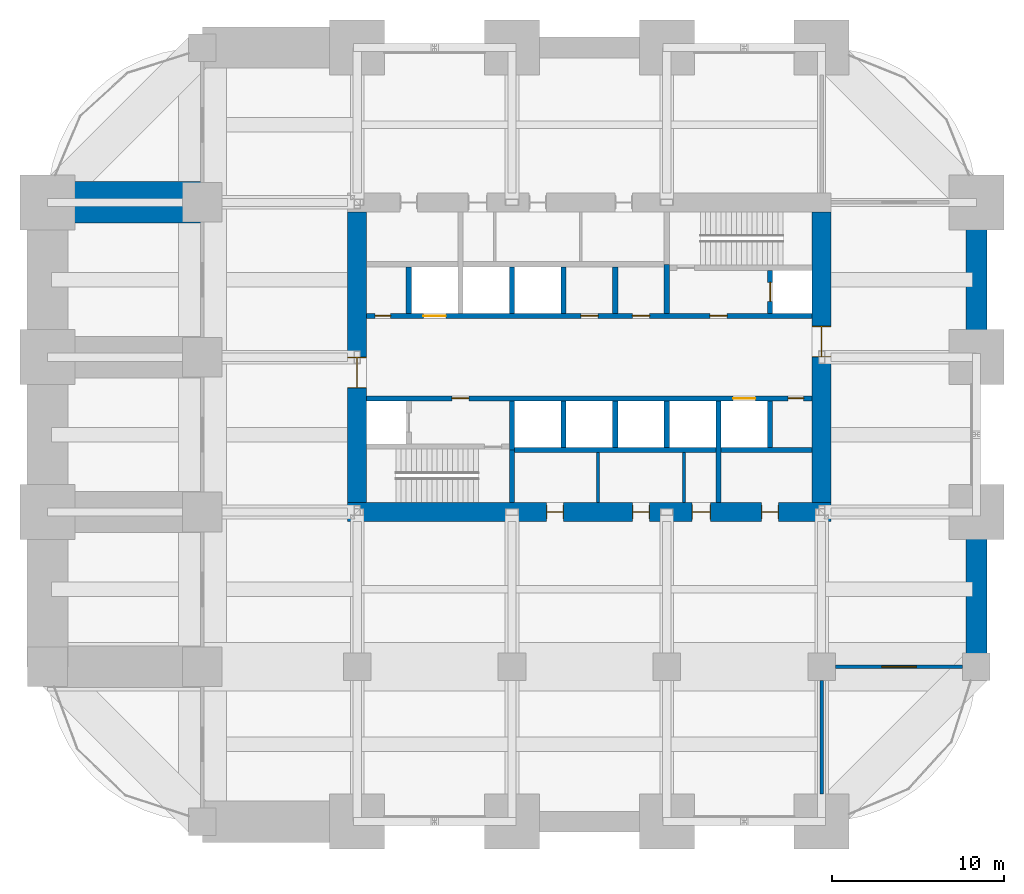
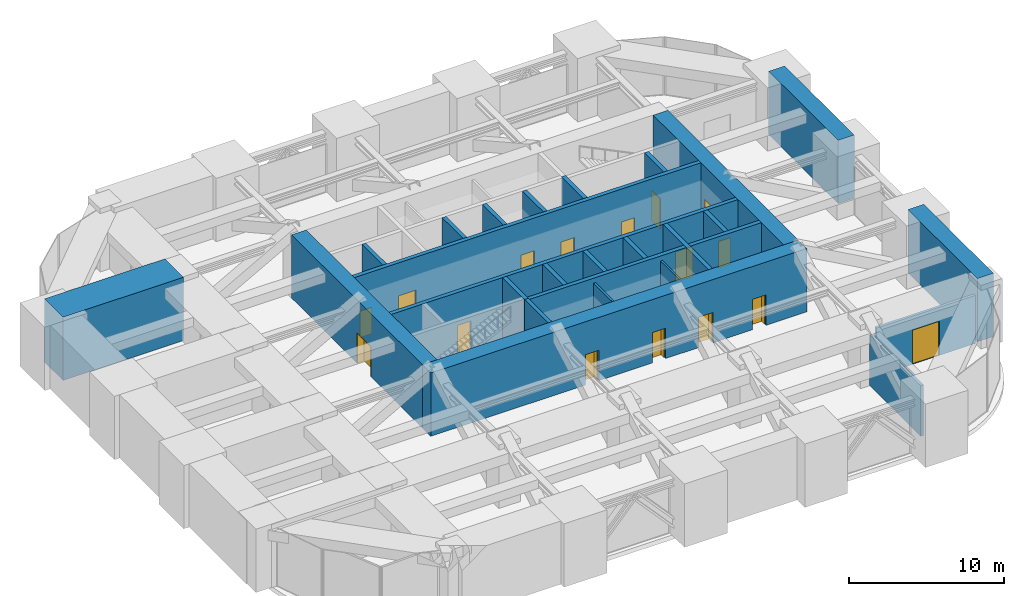
# One storey, part 30 of 32: 26 walls, 16 doors, 16 openings.
"""IFC4 building model written with IfcOpenShell, lengths in metres."""

from ifc_helpers import new_model, si_unit, direction, frame, frame_2d, origin, place, context, subcontext, project, spatial, rectangle, extrude, material, layer, layer_set, type_object, element, fill, save


model = new_model("IFC4")

# Units and contexts
model_context = context("Model", 3, precision=1e-05, world=origin(), true_north=direction((0.0, 1.0)))
body_context = subcontext(model_context, "Body", "Model", "MODEL_VIEW")
ifc_project = project(units=[si_unit("LENGTHUNIT", "METRE"), si_unit("AREAUNIT", "SQUARE_METRE"), si_unit("VOLUMEUNIT", "CUBIC_METRE"), si_unit("PLANEANGLEUNIT", "RADIAN"), si_unit("MASSUNIT", "GRAM", prefix="KILO")], contexts=[model_context])

# Site, building, storey
site_placement = place(None, origin())
site = spatial("IfcSite", under=ifc_project, at=site_placement, CompositionType="ELEMENT")
building_placement = place(site_placement, origin())
building = spatial("IfcBuilding", under=site, at=building_placement, Name="Zorevar Civic Tower", CompositionType="ELEMENT")
storey_placement = place(building_placement, frame((0.0, 0.0, 234.39990234375)))
storey = spatial("IfcBuildingStorey", under=building, at=storey_placement, Name="L57", CompositionType="ELEMENT", Elevation=234.39990234375)

# Walls
ifc_material_1 = material(Name="Concrete C50/60", Category="concrete")
ifc_layer_1 = layer(ifc_material_1, 1.199951171875)
ifc_layer_set_1 = layer_set([ifc_layer_1], Name="Belt wall 1200")
wall_type_1 = type_object("IfcWallType", Name="Belt wall 1200", PredefinedType="SHEAR", material=ifc_layer_set_1)
for number, where, z_axis, x_axis, name in (
    (1, (54.0, 9.0, 0.0), (0.0, 0.0, 1.0), (0.0, 1.0, 0.0), "Belt wall E L57"),
    (2, (54.0, 27.0, 0.0), (0.0, 0.0, 1.0), (0.0, 1.0, 0.0), "Belt wall E L57"),
):
    element("IfcWall", number, at=place(storey_placement, frame(where, z_axis=z_axis, x_axis=x_axis)), inside=storey, type_object=wall_type_1, Name=name, PredefinedType="SHEAR", context=body_context, shape_type="SweptSolid", body=[
        extrude(rectangle(XDim=9.0, YDim=1.199951171875, at=frame_2d((4.5, 0.0))), origin(), (0.0, 0.0, 1.0), 5.0),
    ])
ifc_material_2 = material(Name="Concrete blockwork", Category="masonry")
ifc_layer_2 = layer(ifc_material_2, 0.199951171875)
ifc_layer_set_2 = layer_set([ifc_layer_2], Name="Blockwork wall 200")
wall_type_2 = type_object("IfcWallType", Name="Blockwork wall 200", PredefinedType="SOLIDWALL", material=ifc_layer_set_2)
wall_1_placement = place(storey_placement, frame((45.0, 1.60009765625, 0.0), z_axis=(0.0, 0.0, 1.0), x_axis=(0.0, 1.0, 0.0)))
element("IfcWall", 3, at=wall_1_placement, inside=storey, type_object=wall_type_2, Name="Blockwork wall 200 L57", PredefinedType="SOLIDWALL", context=body_context, shape_type="SweptSolid", body=[
    extrude(rectangle(XDim=6.599853515625, YDim=0.199951171875, at=frame_2d((3.2998046875, 0.0))), origin(), (0.0, 0.0, 1.0), 4.0),
])

# Wall, opening, door
wall_2_placement = place(storey_placement, frame((45.800048828125, 9.0, 0.0), z_axis=(0.0, 0.0, 1.0), x_axis=(1.0, 0.0, 0.0)))
wall_2 = element("IfcWall", 4, at=wall_2_placement, inside=storey, type_object=wall_type_2, Name="Blockwork wall 200 L57", PredefinedType="SOLIDWALL", context=body_context, shape_type="SweptSolid", body=[
    extrude(rectangle(XDim=7.39990234375, YDim=0.199951171875, at=frame_2d((3.699951171875, 0.0))), origin(), (0.0, 0.0, 1.0), 3.800048828125),
])
opening_1_placement = place(wall_2_placement, frame((2.699951171875, 0.0, 0.0)))
opening_1 = element("IfcOpeningElement", 5, at=opening_1_placement, cuts=wall_2, Name="Opening L57.22", PredefinedType="OPENING", context=body_context, shape_type="SweptSolid", body=[
    extrude(rectangle(XDim=2.0, YDim=2.699951171875, at=frame_2d((1.0, 1.35009765625))), frame((0.0, 0.10986328125, 0.0), z_axis=(0.0, -1.0, 0.0), x_axis=(1.0, 0.0, 0.0)), (0.0, 0.0, 1.0), 0.219970703125),
])
ifc_material_3 = material(Name="Steel door set", Category="steel")
door_type_1 = type_object("IfcDoorType", Name="Plant room door PD1 2000x2700", OperationType="DOUBLE_DOOR_SINGLE_SWING", PredefinedType="DOOR", material=ifc_material_3)
door_1_placement = place(opening_1_placement, origin())
door_1 = element("IfcDoor", 6, at=door_1_placement, inside=storey, type_object=door_type_1, Name="Door L57 D1", OperationType="DOUBLE_DOOR_SINGLE_SWING", OverallHeight=2.699951171875, OverallWidth=2.0, PredefinedType="DOOR", context=body_context, shape_type="SweptSolid", body=[
    extrude(rectangle(XDim=2.0, YDim=2.699951171875, at=frame_2d((1.0, 1.35009765625))), frame((0.0, 0.030029296875, 0.0), z_axis=(0.0, -1.0, 0.0), x_axis=(1.0, 0.0, 0.0)), (0.0, 0.0, 1.0), 0.06005859375),
])
fill(opening_1, door_1)

# Wall, openings, doors
ifc_material_4 = material(Name="Concrete C50/60", Category="concrete")
ifc_layer_3 = layer(ifc_material_4, 1.10009765625)
ifc_layer_set_3 = layer_set([ifc_layer_3], Name="Core wall 1100")
wall_type_3 = type_object("IfcWallType", Name="Core wall 1100", PredefinedType="SHEAR", material=ifc_layer_set_3)
wall_3_placement = place(storey_placement, frame((17.449951171875, 18.0, 0.0), z_axis=(0.0, 0.0, 1.0), x_axis=(1.0, 0.0, 0.0)))
wall_3 = element("IfcWall", 7, at=wall_3_placement, inside=storey, type_object=wall_type_3, Name="Core wall S L57", PredefinedType="SHEAR", context=body_context, shape_type="SweptSolid", body=[
    extrude(rectangle(XDim=28.10009765625, YDim=1.10009765625, at=frame_2d((14.050048828125, 0.0))), origin(), (0.0, 0.0, 1.0), 5.0),
])
opening_2_placement = place(wall_3_placement, frame((11.550048828125, 0.0, 0.0)))
opening_2 = element("IfcOpeningElement", 8, at=opening_2_placement, cuts=wall_3, Name="Opening L57.03", PredefinedType="OPENING", context=body_context, shape_type="SweptSolid", body=[
    extrude(rectangle(XDim=1.0, YDim=2.39990234375, at=frame_2d((0.5, 1.199951171875))), frame((0.0, 0.56005859375, 0.0), z_axis=(0.0, -1.0, 0.0), x_axis=(1.0, 0.0, 0.0)), (0.0, 0.0, 1.0), 1.1201171875),
])
opening_3_placement = place(wall_3_placement, frame((16.550048828125, 0.0, 0.0)))
opening_3 = element("IfcOpeningElement", 9, at=opening_3_placement, cuts=wall_3, Name="Opening L57.04", PredefinedType="OPENING", context=body_context, shape_type="SweptSolid", body=[
    extrude(rectangle(XDim=1.0, YDim=2.39990234375, at=frame_2d((0.5, 1.199951171875))), frame((0.0, 0.56005859375, 0.0), z_axis=(0.0, -1.0, 0.0), x_axis=(1.0, 0.0, 0.0)), (0.0, 0.0, 1.0), 1.1201171875),
])
opening_4_placement = place(wall_3_placement, frame((20.0, 0.0, 0.0)))
opening_4 = element("IfcOpeningElement", 10, at=opening_4_placement, cuts=wall_3, Name="Opening L57.05", PredefinedType="OPENING", context=body_context, shape_type="SweptSolid", body=[
    extrude(rectangle(XDim=1.10009765625, YDim=2.39990234375, at=frame_2d((0.550048828125, 1.199951171875))), frame((0.0, 0.56005859375, 0.0), z_axis=(0.0, -1.0, 0.0), x_axis=(1.0, 0.0, 0.0)), (0.0, 0.0, 1.0), 1.1201171875),
])
opening_5_placement = place(wall_3_placement, frame((24.050048828125, 0.0, 0.0)))
opening_5 = element("IfcOpeningElement", 11, at=opening_5_placement, cuts=wall_3, Name="Opening L57.06", PredefinedType="OPENING", context=body_context, shape_type="SweptSolid", body=[
    extrude(rectangle(XDim=1.0, YDim=2.39990234375, at=frame_2d((0.5, 1.199951171875))), frame((0.0, 0.56005859375, 0.0), z_axis=(0.0, -1.0, 0.0), x_axis=(1.0, 0.0, 0.0)), (0.0, 0.0, 1.0), 1.1201171875),
])
ifc_material_5 = material(Name="Timber door set", Category="wood")
door_type_2 = type_object("IfcDoorType", Name="Door D1 1000x2400", OperationType="SINGLE_SWING_LEFT", PredefinedType="DOOR", material=ifc_material_5)
door_2_placement = place(opening_2_placement, origin())
door_2 = element("IfcDoor", 12, at=door_2_placement, inside=storey, type_object=door_type_2, Name="Door L57 02", OperationType="SINGLE_SWING_LEFT", OverallHeight=2.39990234375, OverallWidth=1.0, PredefinedType="DOOR", context=body_context, shape_type="SweptSolid", body=[
    extrude(rectangle(XDim=1.0, YDim=2.39990234375, at=frame_2d((0.5, 1.199951171875))), frame((0.0, 0.02490234375, 0.0), z_axis=(0.0, -1.0, 0.0), x_axis=(1.0, 0.0, 0.0)), (0.0, 0.0, 1.0), 0.050048828125),
    extrude(rectangle(XDim=0.04, YDim=2.39990234375, at=frame_2d((0.02001953125, 1.199951171875))), frame((0.0, 0.39990234375, 0.0), z_axis=(0.0, -1.0, 0.0), x_axis=(1.0, 0.0, 0.0)), (0.0, 0.0, 1.0), 0.800048828125),
    extrude(rectangle(XDim=0.04, YDim=2.39990234375, at=frame_2d((0.97998046875, 1.199951171875))), frame((0.0, 0.39990234375, 0.0), z_axis=(0.0, -1.0, 0.0), x_axis=(1.0, 0.0, 0.0)), (0.0, 0.0, 1.0), 0.800048828125),
    extrude(rectangle(XDim=1.0, YDim=0.04, at=frame_2d((0.5, 2.3798828125))), frame((0.0, 0.39990234375, 0.0), z_axis=(0.0, -1.0, 0.0), x_axis=(1.0, 0.0, 0.0)), (0.0, 0.0, 1.0), 0.800048828125),
])
fill(opening_2, door_2)
door_3_placement = place(opening_3_placement, origin())
door_3 = element("IfcDoor", 13, at=door_3_placement, inside=storey, type_object=door_type_2, Name="Door L57 03", OperationType="SINGLE_SWING_RIGHT", OverallHeight=2.39990234375, OverallWidth=1.0, PredefinedType="DOOR", context=body_context, shape_type="SweptSolid", body=[
    extrude(rectangle(XDim=1.0, YDim=2.39990234375, at=frame_2d((0.5, 1.199951171875))), frame((0.0, 0.02490234375, 0.0), z_axis=(0.0, -1.0, 0.0), x_axis=(1.0, 0.0, 0.0)), (0.0, 0.0, 1.0), 0.050048828125),
    extrude(rectangle(XDim=0.04, YDim=2.39990234375, at=frame_2d((0.02001953125, 1.199951171875))), frame((0.0, 0.39990234375, 0.0), z_axis=(0.0, -1.0, 0.0), x_axis=(1.0, 0.0, 0.0)), (0.0, 0.0, 1.0), 0.800048828125),
    extrude(rectangle(XDim=0.04, YDim=2.39990234375, at=frame_2d((0.97998046875, 1.199951171875))), frame((0.0, 0.39990234375, 0.0), z_axis=(0.0, -1.0, 0.0), x_axis=(1.0, 0.0, 0.0)), (0.0, 0.0, 1.0), 0.800048828125),
    extrude(rectangle(XDim=1.0, YDim=0.04, at=frame_2d((0.5, 2.3798828125))), frame((0.0, 0.39990234375, 0.0), z_axis=(0.0, -1.0, 0.0), x_axis=(1.0, 0.0, 0.0)), (0.0, 0.0, 1.0), 0.800048828125),
])
fill(opening_3, door_3)
door_4_placement = place(opening_5_placement, origin())
door_4 = element("IfcDoor", 14, at=door_4_placement, inside=storey, type_object=door_type_2, Name="Door L57 05", OperationType="SINGLE_SWING_RIGHT", OverallHeight=2.39990234375, OverallWidth=1.0, PredefinedType="DOOR", context=body_context, shape_type="SweptSolid", body=[
    extrude(rectangle(XDim=1.0, YDim=2.39990234375, at=frame_2d((0.5, 1.199951171875))), frame((0.0, 0.02490234375, 0.0), z_axis=(0.0, -1.0, 0.0), x_axis=(1.0, 0.0, 0.0)), (0.0, 0.0, 1.0), 0.050048828125),
    extrude(rectangle(XDim=0.04, YDim=2.39990234375, at=frame_2d((0.02001953125, 1.199951171875))), frame((0.0, 0.39990234375, 0.0), z_axis=(0.0, -1.0, 0.0), x_axis=(1.0, 0.0, 0.0)), (0.0, 0.0, 1.0), 0.800048828125),
    extrude(rectangle(XDim=0.04, YDim=2.39990234375, at=frame_2d((0.97998046875, 1.199951171875))), frame((0.0, 0.39990234375, 0.0), z_axis=(0.0, -1.0, 0.0), x_axis=(1.0, 0.0, 0.0)), (0.0, 0.0, 1.0), 0.800048828125),
    extrude(rectangle(XDim=1.0, YDim=0.04, at=frame_2d((0.5, 2.3798828125))), frame((0.0, 0.39990234375, 0.0), z_axis=(0.0, -1.0, 0.0), x_axis=(1.0, 0.0, 0.0)), (0.0, 0.0, 1.0), 0.800048828125),
])
fill(opening_5, door_4)
ifc_material_6 = material(Name="Timber door set", Category="wood")
door_type_3 = type_object("IfcDoorType", Name="Door D5 1100x2400", OperationType="SINGLE_SWING_LEFT", PredefinedType="DOOR", material=ifc_material_6)
door_5_placement = place(opening_4_placement, origin())
door_5 = element("IfcDoor", 15, at=door_5_placement, inside=storey, type_object=door_type_3, Name="Door L57 04", OperationType="SINGLE_SWING_RIGHT", OverallHeight=2.39990234375, OverallWidth=1.10009765625, PredefinedType="DOOR", context=body_context, shape_type="SweptSolid", body=[
    extrude(rectangle(XDim=1.10009765625, YDim=2.39990234375, at=frame_2d((0.550048828125, 1.199951171875))), frame((0.0, 0.02490234375, 0.0), z_axis=(0.0, -1.0, 0.0), x_axis=(1.0, 0.0, 0.0)), (0.0, 0.0, 1.0), 0.050048828125),
    extrude(rectangle(XDim=0.04, YDim=2.39990234375, at=frame_2d((0.02001953125, 1.199951171875))), frame((0.0, 0.43994140625, 0.0), z_axis=(0.0, -1.0, 0.0), x_axis=(1.0, 0.0, 0.0)), (0.0, 0.0, 1.0), 0.880126953125),
    extrude(rectangle(XDim=0.04, YDim=2.39990234375, at=frame_2d((1.080078125, 1.199951171875))), frame((0.0, 0.43994140625, 0.0), z_axis=(0.0, -1.0, 0.0), x_axis=(1.0, 0.0, 0.0)), (0.0, 0.0, 1.0), 0.880126953125),
    extrude(rectangle(XDim=1.10009765625, YDim=0.04, at=frame_2d((0.550048828125, 2.3798828125))), frame((0.0, 0.43994140625, 0.0), z_axis=(0.0, -1.0, 0.0), x_axis=(1.0, 0.0, 0.0)), (0.0, 0.0, 1.0), 0.880126953125),
])
fill(opening_4, door_5)

# Wall, opening, door
wall_4_placement = place(storey_placement, frame((18.0, 35.449951171875, 0.0), z_axis=(0.0, 0.0, 1.0), x_axis=(0.0, -1.0, 0.0)))
wall_4 = element("IfcWall", 16, at=wall_4_placement, inside=storey, type_object=wall_type_3, Name="Core wall W L57", PredefinedType="SHEAR", context=body_context, shape_type="SweptSolid", body=[
    extrude(rectangle(XDim=16.89990234375, YDim=1.10009765625, at=frame_2d((8.449951171875, 0.0))), origin(), (0.0, 0.0, 1.0), 5.0),
])
opening_6_placement = place(wall_4_placement, frame((8.449951171875, 0.0, 0.0)))
opening_6 = element("IfcOpeningElement", 17, at=opening_6_placement, cuts=wall_4, Name="Opening L57.01", PredefinedType="OPENING", context=body_context, shape_type="SweptSolid", body=[
    extrude(rectangle(XDim=1.800048828125, YDim=2.39990234375, at=frame_2d((0.89990234375, 1.199951171875))), frame((0.0, 0.56005859375, 0.0), z_axis=(0.0, -1.0, 0.0), x_axis=(1.0, 0.0, 0.0)), (0.0, 0.0, 1.0), 1.1201171875),
])
ifc_material_7 = material(Name="Steel door set", Category="steel")
door_type_4 = type_object("IfcDoorType", Name="Fire door FD2 1800x2400", OperationType="DOUBLE_DOOR_DOUBLE_SWING", PredefinedType="DOOR", material=ifc_material_7)
door_6_placement = place(opening_6_placement, origin())
door_6 = element("IfcDoor", 18, at=door_6_placement, inside=storey, type_object=door_type_4, Name="Door L57 00", OperationType="DOUBLE_DOOR_DOUBLE_SWING", OverallHeight=2.39990234375, OverallWidth=1.800048828125, PredefinedType="DOOR", context=body_context, shape_type="SweptSolid", body=[
    extrude(rectangle(XDim=1.800048828125, YDim=2.39990234375, at=frame_2d((0.89990234375, 1.199951171875))), frame((0.0, 0.030029296875, 0.0), z_axis=(0.0, -1.0, 0.0), x_axis=(1.0, 0.0, 0.0)), (0.0, 0.0, 1.0), 0.06005859375),
    extrude(rectangle(XDim=0.04, YDim=2.39990234375, at=frame_2d((0.02001953125, 1.199951171875))), frame((0.0, 0.5498046875, 0.0), z_axis=(0.0, -1.0, 0.0), x_axis=(1.0, 0.0, 0.0)), (0.0, 0.0, 1.0), 1.099609375),
    extrude(rectangle(XDim=0.04, YDim=2.39990234375, at=frame_2d((1.780029296875, 1.199951171875))), frame((0.0, 0.5498046875, 0.0), z_axis=(0.0, -1.0, 0.0), x_axis=(1.0, 0.0, 0.0)), (0.0, 0.0, 1.0), 1.099609375),
    extrude(rectangle(XDim=1.800048828125, YDim=0.04, at=frame_2d((0.89990234375, 2.3798828125))), frame((0.0, 0.5498046875, 0.0), z_axis=(0.0, -1.0, 0.0), x_axis=(1.0, 0.0, 0.0)), (0.0, 0.0, 1.0), 1.099609375),
])
fill(opening_6, door_6)

wall_5_placement = place(storey_placement, frame((45.0, 18.550048828125, 0.0), z_axis=(0.0, 0.0, 1.0), x_axis=(0.0, 1.0, 0.0)))
wall_5 = element("IfcWall", 19, at=wall_5_placement, inside=storey, type_object=wall_type_3, Name="Core wall E L57", PredefinedType="SHEAR", context=body_context, shape_type="SweptSolid", body=[
    extrude(rectangle(XDim=16.89990234375, YDim=1.10009765625, at=frame_2d((8.449951171875, 0.0))), origin(), (0.0, 0.0, 1.0), 5.0),
])
opening_7_placement = place(wall_5_placement, frame((8.449951171875, 0.0, 0.0)))
opening_7 = element("IfcOpeningElement", 20, at=opening_7_placement, cuts=wall_5, Name="Opening L57.02", PredefinedType="OPENING", context=body_context, shape_type="SweptSolid", body=[
    extrude(rectangle(XDim=1.800048828125, YDim=2.39990234375, at=frame_2d((0.89990234375, 1.199951171875))), frame((0.0, 0.56005859375, 0.0), z_axis=(0.0, -1.0, 0.0), x_axis=(1.0, 0.0, 0.0)), (0.0, 0.0, 1.0), 1.1201171875),
])
door_7_placement = place(opening_7_placement, origin())
door_7 = element("IfcDoor", 21, at=door_7_placement, inside=storey, type_object=door_type_4, Name="Door L57 01", OperationType="DOUBLE_DOOR_DOUBLE_SWING", OverallHeight=2.39990234375, OverallWidth=1.800048828125, PredefinedType="DOOR", context=body_context, shape_type="SweptSolid", body=[
    extrude(rectangle(XDim=1.800048828125, YDim=2.39990234375, at=frame_2d((0.89990234375, 1.199951171875))), frame((0.0, 0.030029296875, 0.0), z_axis=(0.0, -1.0, 0.0), x_axis=(1.0, 0.0, 0.0)), (0.0, 0.0, 1.0), 0.06005859375),
    extrude(rectangle(XDim=0.04, YDim=2.39990234375, at=frame_2d((0.02001953125, 1.199951171875))), frame((0.0, 0.5498046875, 0.0), z_axis=(0.0, -1.0, 0.0), x_axis=(1.0, 0.0, 0.0)), (0.0, 0.0, 1.0), 1.099609375),
    extrude(rectangle(XDim=0.04, YDim=2.39990234375, at=frame_2d((1.780029296875, 1.199951171875))), frame((0.0, 0.5498046875, 0.0), z_axis=(0.0, -1.0, 0.0), x_axis=(1.0, 0.0, 0.0)), (0.0, 0.0, 1.0), 1.099609375),
    extrude(rectangle(XDim=1.800048828125, YDim=0.04, at=frame_2d((0.89990234375, 2.3798828125))), frame((0.0, 0.5498046875, 0.0), z_axis=(0.0, -1.0, 0.0), x_axis=(1.0, 0.0, 0.0)), (0.0, 0.0, 1.0), 1.099609375),
])
fill(opening_7, door_7)

# Wall
ifc_material_8 = material(Name="Concrete C40/50", Category="concrete")
ifc_layer_4 = layer(ifc_material_8, 0.300048828125)
ifc_layer_set_4 = layer_set([ifc_layer_4], Name="Inner core wall 300")
wall_type_4 = type_object("IfcWallType", Name="Inner core wall 300", PredefinedType="SHEAR", material=ifc_layer_set_4)
wall_6_placement = place(storey_placement, frame((27.0, 18.550048828125, 0.0), z_axis=(0.0, 0.0, 1.0), x_axis=(0.0, 1.0, 0.0)))
element("IfcWall", 22, at=wall_6_placement, inside=storey, type_object=wall_type_4, Name="Inner core wall S01 L57", PredefinedType="SHEAR", context=body_context, shape_type="SweptSolid", body=[
    extrude(rectangle(XDim=3.050048828125, YDim=0.300048828125, at=frame_2d((1.52490234375, 0.0))), origin(), (0.0, 0.0, 1.0), 5.0),
])

# Wall, opening, door
wall_7_placement = place(storey_placement, frame((42.0, 29.550048828125, 0.0), z_axis=(0.0, 0.0, 1.0), x_axis=(0.0, 1.0, 0.0)))
wall_7 = element("IfcWall", 23, at=wall_7_placement, inside=storey, type_object=wall_type_4, Name="Inner core wall N02 L57", PredefinedType="SHEAR", context=body_context, shape_type="SweptSolid", body=[
    extrude(rectangle(XDim=2.5, YDim=0.300048828125, at=frame_2d((1.25, 0.0))), origin(), (0.0, 0.0, 1.0), 5.0),
])
opening_8_placement = place(wall_7_placement, frame((0.699951171875, 0.0, 0.0)))
opening_8 = element("IfcOpeningElement", 24, at=opening_8_placement, cuts=wall_7, Name="Opening L57.FL2", PredefinedType="OPENING", context=body_context, shape_type="SweptSolid", body=[
    extrude(rectangle(XDim=1.10009765625, YDim=2.39990234375, at=frame_2d((0.550048828125, 1.199951171875))), frame((0.0, 0.159912109375, 0.0), z_axis=(0.0, -1.0, 0.0), x_axis=(1.0, 0.0, 0.0)), (0.0, 0.0, 1.0), 0.320068359375),
])
ifc_material_9 = material(Name="Steel door set", Category="steel")
door_type_5 = type_object("IfcDoorType", Name="Firefighting lift landing door LD3 1100x2400", OperationType="DOUBLE_DOOR_SLIDING", PredefinedType="DOOR", material=ifc_material_9)
door_8_placement = place(opening_8_placement, origin())
door_8 = element("IfcDoor", 25, at=door_8_placement, inside=storey, type_object=door_type_5, Name="Landing door FL2 L57", OperationType="DOUBLE_DOOR_SLIDING", OverallHeight=2.39990234375, OverallWidth=1.10009765625, PredefinedType="DOOR", context=body_context, shape_type="SweptSolid", body=[
    extrude(rectangle(XDim=1.10009765625, YDim=2.39990234375, at=frame_2d((0.550048828125, 1.199951171875))), frame((0.0, 0.030029296875, 0.0), z_axis=(0.0, -1.0, 0.0), x_axis=(1.0, 0.0, 0.0)), (0.0, 0.0, 1.0), 0.06005859375),
])
fill(opening_8, door_8)

# Wall, openings, doors
wall_8_placement = place(storey_placement, frame((18.550048828125, 24.60009765625, 0.0), z_axis=(0.0, 0.0, 1.0), x_axis=(1.0, 0.0, 0.0)))
wall_8 = element("IfcWall", 26, at=wall_8_placement, inside=storey, type_object=wall_type_4, Name="Inner core wall S03 L57", PredefinedType="SHEAR", context=body_context, shape_type="SweptSolid", body=[
    extrude(rectangle(XDim=25.89990234375, YDim=0.300048828125, at=frame_2d((12.949951171875, 0.0))), origin(), (0.0, 0.0, 1.0), 5.0),
])
opening_9_placement = place(wall_8_placement, frame((4.949951171875, 0.0, 0.0)))
opening_9 = element("IfcOpeningElement", 27, at=opening_9_placement, cuts=wall_8, Name="Opening L57.13", PredefinedType="OPENING", context=body_context, shape_type="SweptSolid", body=[
    extrude(rectangle(XDim=1.0, YDim=2.39990234375, at=frame_2d((0.5, 1.199951171875))), frame((0.0, 0.159912109375, 0.0), z_axis=(0.0, -1.0, 0.0), x_axis=(1.0, 0.0, 0.0)), (0.0, 0.0, 1.0), 0.320068359375),
])
opening_10_placement = place(wall_8_placement, frame((24.5, 0.0, 0.0)))
opening_10 = element("IfcOpeningElement", 28, at=opening_10_placement, cuts=wall_8, Name="Opening L57.15", PredefinedType="OPENING", context=body_context, shape_type="SweptSolid", body=[
    extrude(rectangle(XDim=0.89990234375, YDim=2.10009765625, at=frame_2d((0.449951171875, 1.050048828125))), frame((0.0, 0.159912109375, 0.0), z_axis=(0.0, -1.0, 0.0), x_axis=(1.0, 0.0, 0.0)), (0.0, 0.0, 1.0), 0.320068359375),
])
opening_11_placement = place(wall_8_placement, frame((21.300048828125, 0.0, 0.0)))
opening_11 = element("IfcOpeningElement", 29, at=opening_11_placement, cuts=wall_8, Name="Opening L57.SL1", PredefinedType="OPENING", context=body_context, shape_type="SweptSolid", body=[
    extrude(rectangle(XDim=1.300048828125, YDim=2.39990234375, at=frame_2d((0.64990234375, 1.199951171875))), frame((0.0, 0.159912109375, 0.0), z_axis=(0.0, -1.0, 0.0), x_axis=(1.0, 0.0, 0.0)), (0.0, 0.0, 1.0), 0.320068359375),
])
ifc_material_10 = material(Name="Steel door set", Category="steel")
door_type_6 = type_object("IfcDoorType", Name="Fire door FD1 1000x2400", OperationType="SINGLE_SWING_LEFT", PredefinedType="DOOR", material=ifc_material_10)
door_9_placement = place(opening_9_placement, origin())
door_9 = element("IfcDoor", 30, at=door_9_placement, inside=storey, type_object=door_type_6, Name="Door L57 12", OperationType="SINGLE_SWING_RIGHT", OverallHeight=2.39990234375, OverallWidth=1.0, PredefinedType="DOOR", context=body_context, shape_type="SweptSolid", body=[
    extrude(rectangle(XDim=1.0, YDim=2.39990234375, at=frame_2d((0.5, 1.199951171875))), frame((0.0, 0.030029296875, 0.0), z_axis=(0.0, -1.0, 0.0), x_axis=(1.0, 0.0, 0.0)), (0.0, 0.0, 1.0), 0.06005859375),
])
fill(opening_9, door_9)
ifc_material_11 = material(Name="Steel door set", Category="steel")
door_type_7 = type_object("IfcDoorType", Name="Landing door LD2 1300x2400", OperationType="DOUBLE_DOOR_SLIDING", PredefinedType="DOOR", material=ifc_material_11)
door_10_placement = place(opening_11_placement, origin())
door_10 = element("IfcDoor", 31, at=door_10_placement, inside=storey, type_object=door_type_7, Name="Landing door SL1 L57", OperationType="DOUBLE_DOOR_SLIDING", OverallHeight=2.39990234375, OverallWidth=1.300048828125, PredefinedType="DOOR", context=body_context, shape_type="SweptSolid", body=[
    extrude(rectangle(XDim=1.300048828125, YDim=2.39990234375, at=frame_2d((0.64990234375, 1.199951171875))), frame((0.0, 0.02001953125, 0.0), z_axis=(0.0, -1.0, 0.0), x_axis=(1.0, 0.0, 0.0)), (0.0, 0.0, 1.0), 0.0400390625),
])
fill(opening_11, door_10)
ifc_material_12 = material(Name="Steel door set", Category="steel")
door_type_8 = type_object("IfcDoorType", Name="Riser door RD1 900x2100", OperationType="SINGLE_SWING_LEFT", PredefinedType="DOOR", material=ifc_material_12)
door_11_placement = place(opening_10_placement, origin())
door_11 = element("IfcDoor", 32, at=door_11_placement, inside=storey, type_object=door_type_8, Name="Door L57 14", OperationType="SINGLE_SWING_RIGHT", OverallHeight=2.10009765625, OverallWidth=0.89990234375, PredefinedType="DOOR", context=body_context, shape_type="SweptSolid", body=[
    extrude(rectangle(XDim=0.89990234375, YDim=2.10009765625, at=frame_2d((0.449951171875, 1.050048828125))), frame((0.0, 0.030029296875, 0.0), z_axis=(0.0, -1.0, 0.0), x_axis=(1.0, 0.0, 0.0)), (0.0, 0.0, 1.0), 0.06005859375),
])
fill(opening_10, door_11)

wall_9_placement = place(storey_placement, frame((18.550048828125, 29.39990234375, 0.0), z_axis=(0.0, 0.0, 1.0), x_axis=(1.0, 0.0, 0.0)))
wall_9 = element("IfcWall", 33, at=wall_9_placement, inside=storey, type_object=wall_type_4, Name="Inner core wall N03 L57", PredefinedType="SHEAR", context=body_context, shape_type="SweptSolid", body=[
    extrude(rectangle(XDim=25.89990234375, YDim=0.300048828125, at=frame_2d((12.949951171875, 0.0))), origin(), (0.0, 0.0, 1.0), 5.0),
])
opening_12_placement = place(wall_9_placement, frame((19.949951171875, 0.0, 0.0)))
opening_12 = element("IfcOpeningElement", 34, at=opening_12_placement, cuts=wall_9, Name="Opening L57.14", PredefinedType="OPENING", context=body_context, shape_type="SweptSolid", body=[
    extrude(rectangle(XDim=1.0, YDim=2.39990234375, at=frame_2d((0.5, 1.199951171875))), frame((0.0, 0.159912109375, 0.0), z_axis=(0.0, -1.0, 0.0), x_axis=(1.0, 0.0, 0.0)), (0.0, 0.0, 1.0), 0.320068359375),
])
opening_13_placement = place(wall_9_placement, frame((0.5, 0.0, 0.0)))
opening_13 = element("IfcOpeningElement", 35, at=opening_13_placement, cuts=wall_9, Name="Opening L57.16", PredefinedType="OPENING", context=body_context, shape_type="SweptSolid", body=[
    extrude(rectangle(XDim=0.89990234375, YDim=2.10009765625, at=frame_2d((0.449951171875, 1.050048828125))), frame((0.0, 0.159912109375, 0.0), z_axis=(0.0, -1.0, 0.0), x_axis=(1.0, 0.0, 0.0)), (0.0, 0.0, 1.0), 0.320068359375),
])
opening_14_placement = place(wall_9_placement, frame((15.449951171875, 0.0, 0.0)))
opening_14 = element("IfcOpeningElement", 36, at=opening_14_placement, cuts=wall_9, Name="Opening L57.24", PredefinedType="OPENING", context=body_context, shape_type="SweptSolid", body=[
    extrude(rectangle(XDim=1.0, YDim=2.39990234375, at=frame_2d((0.5, 1.199951171875))), frame((0.0, 0.159912109375, 0.0), z_axis=(0.0, -1.0, 0.0), x_axis=(1.0, 0.0, 0.0)), (0.0, 0.0, 1.0), 0.320068359375),
])
opening_15_placement = place(wall_9_placement, frame((12.449951171875, 0.0, 0.0)))
opening_15 = element("IfcOpeningElement", 37, at=opening_15_placement, cuts=wall_9, Name="Opening L57.25", PredefinedType="OPENING", context=body_context, shape_type="SweptSolid", body=[
    extrude(rectangle(XDim=1.0, YDim=2.39990234375, at=frame_2d((0.5, 1.199951171875))), frame((0.0, 0.159912109375, 0.0), z_axis=(0.0, -1.0, 0.0), x_axis=(1.0, 0.0, 0.0)), (0.0, 0.0, 1.0), 0.320068359375),
])
opening_16_placement = place(wall_9_placement, frame((3.300048828125, 0.0, 0.0)))
opening_16 = element("IfcOpeningElement", 38, at=opening_16_placement, cuts=wall_9, Name="Opening L57.SL2", PredefinedType="OPENING", context=body_context, shape_type="SweptSolid", body=[
    extrude(rectangle(XDim=1.300048828125, YDim=2.39990234375, at=frame_2d((0.64990234375, 1.199951171875))), frame((0.0, 0.159912109375, 0.0), z_axis=(0.0, -1.0, 0.0), x_axis=(1.0, 0.0, 0.0)), (0.0, 0.0, 1.0), 0.320068359375),
])
door_12_placement = place(opening_12_placement, origin())
door_12 = element("IfcDoor", 39, at=door_12_placement, inside=storey, type_object=door_type_6, Name="Door L57 13", OperationType="SINGLE_SWING_RIGHT", OverallHeight=2.39990234375, OverallWidth=1.0, PredefinedType="DOOR", context=body_context, shape_type="SweptSolid", body=[
    extrude(rectangle(XDim=1.0, YDim=2.39990234375, at=frame_2d((0.5, 1.199951171875))), frame((0.0, 0.030029296875, 0.0), z_axis=(0.0, -1.0, 0.0), x_axis=(1.0, 0.0, 0.0)), (0.0, 0.0, 1.0), 0.06005859375),
])
fill(opening_12, door_12)
door_13_placement = place(opening_14_placement, origin())
door_13 = element("IfcDoor", 40, at=door_13_placement, inside=storey, type_object=door_type_6, Name="Door L57 LM1 shaft room", OperationType="SINGLE_SWING_LEFT", OverallHeight=2.39990234375, OverallWidth=1.0, PredefinedType="DOOR", context=body_context, shape_type="SweptSolid", body=[
    extrude(rectangle(XDim=1.0, YDim=2.39990234375, at=frame_2d((0.5, 1.199951171875))), frame((0.0, 0.030029296875, 0.0), z_axis=(0.0, -1.0, 0.0), x_axis=(1.0, 0.0, 0.0)), (0.0, 0.0, 1.0), 0.06005859375),
])
fill(opening_14, door_13)
door_14_placement = place(opening_15_placement, origin())
door_14 = element("IfcDoor", 41, at=door_14_placement, inside=storey, type_object=door_type_6, Name="Door L57 LM2 shaft room", OperationType="SINGLE_SWING_RIGHT", OverallHeight=2.39990234375, OverallWidth=1.0, PredefinedType="DOOR", context=body_context, shape_type="SweptSolid", body=[
    extrude(rectangle(XDim=1.0, YDim=2.39990234375, at=frame_2d((0.5, 1.199951171875))), frame((0.0, 0.030029296875, 0.0), z_axis=(0.0, -1.0, 0.0), x_axis=(1.0, 0.0, 0.0)), (0.0, 0.0, 1.0), 0.06005859375),
])
fill(opening_15, door_14)
door_15_placement = place(opening_16_placement, origin())
door_15 = element("IfcDoor", 42, at=door_15_placement, inside=storey, type_object=door_type_7, Name="Landing door SL2 L57", OperationType="DOUBLE_DOOR_SLIDING", OverallHeight=2.39990234375, OverallWidth=1.300048828125, PredefinedType="DOOR", context=body_context, shape_type="SweptSolid", body=[
    extrude(rectangle(XDim=1.300048828125, YDim=2.39990234375, at=frame_2d((0.64990234375, 1.199951171875))), frame((0.0, 0.02001953125, 0.0), z_axis=(0.0, -1.0, 0.0), x_axis=(1.0, 0.0, 0.0)), (0.0, 0.0, 1.0), 0.0400390625),
])
fill(opening_16, door_15)
door_16_placement = place(opening_13_placement, origin())
door_16 = element("IfcDoor", 43, at=door_16_placement, inside=storey, type_object=door_type_8, Name="Door L57 15", OperationType="SINGLE_SWING_RIGHT", OverallHeight=2.10009765625, OverallWidth=0.89990234375, PredefinedType="DOOR", context=body_context, shape_type="SweptSolid", body=[
    extrude(rectangle(XDim=0.89990234375, YDim=2.10009765625, at=frame_2d((0.449951171875, 1.050048828125))), frame((0.0, 0.030029296875, 0.0), z_axis=(0.0, -1.0, 0.0), x_axis=(1.0, 0.0, 0.0)), (0.0, 0.0, 1.0), 0.06005859375),
])
fill(opening_13, door_16)

# Walls
wall_10_placement = place(storey_placement, frame((27.14990234375, 21.60009765625, 0.0), z_axis=(0.0, 0.0, 1.0), x_axis=(1.0, 0.0, 0.0)))
element("IfcWall", 44, at=wall_10_placement, inside=storey, type_object=wall_type_4, Name="Inner core wall S04 L57", PredefinedType="SHEAR", context=body_context, shape_type="SweptSolid", body=[
    extrude(rectangle(XDim=17.300048828125, YDim=0.300048828125, at=frame_2d((8.64990234375, 0.0))), origin(), (0.0, 0.0, 1.0), 5.0),
])
for number, where, z_axis, x_axis, name in (
    (45, (30.0, 21.75, 0.0), (0.0, 0.0, 1.0), (0.0, 1.0, 0.0), "Inner core wall S05 L57"),
    (46, (33.0, 29.550048828125, 0.0), (0.0, 0.0, 1.0), (0.0, 1.0, 0.0), "Inner core wall N05 L57"),
    (47, (33.0, 21.75, 0.0), (0.0, 0.0, 1.0), (0.0, 1.0, 0.0), "Inner core wall S06 L57"),
    (48, (30.0, 29.550048828125, 0.0), (0.0, 0.0, 1.0), (0.0, 1.0, 0.0), "Inner core wall N06 L57"),
    (49, (36.0, 21.75, 0.0), (0.0, 0.0, 1.0), (0.0, 1.0, 0.0), "Inner core wall S07 L57"),
    (50, (27.0, 29.550048828125, 0.0), (0.0, 0.0, 1.0), (0.0, 1.0, 0.0), "Inner core wall N07 L57"),
):
    element("IfcWall", number, at=place(storey_placement, frame(where, z_axis=z_axis, x_axis=x_axis)), inside=storey, type_object=wall_type_4, Name=name, PredefinedType="SHEAR", context=body_context, shape_type="SweptSolid", body=[
        extrude(rectangle(XDim=2.699951171875, YDim=0.300048828125, at=frame_2d((1.35009765625, 0.0))), origin(), (0.0, 0.0, 1.0), 5.0),
    ])
wall_11_placement = place(storey_placement, frame((39.0, 18.550048828125, 0.0), z_axis=(0.0, 0.0, 1.0), x_axis=(0.0, 1.0, 0.0)))
element("IfcWall", 51, at=wall_11_placement, inside=storey, type_object=wall_type_4, Name="Inner core wall S08 L57", PredefinedType="SHEAR", context=body_context, shape_type="SweptSolid", body=[
    extrude(rectangle(XDim=5.89990234375, YDim=0.300048828125, at=frame_2d((2.949951171875, 0.0))), origin(), (0.0, 0.0, 1.0), 5.0),
])
for number, where, z_axis, x_axis, name in (
    (52, (42.0, 21.75, 0.0), (0.0, 0.0, 1.0), (0.0, 1.0, 0.0), "Inner core wall S09 L57"),
    (53, (21.0, 29.550048828125, 0.0), (0.0, 0.0, 1.0), (0.0, 1.0, 0.0), "Inner core wall N09 L57"),
):
    element("IfcWall", number, at=place(storey_placement, frame(where, z_axis=z_axis, x_axis=x_axis)), inside=storey, type_object=wall_type_4, Name=name, PredefinedType="SHEAR", context=body_context, shape_type="SweptSolid", body=[
        extrude(rectangle(XDim=2.699951171875, YDim=0.300048828125, at=frame_2d((1.35009765625, 0.0))), origin(), (0.0, 0.0, 1.0), 5.0),
    ])
for number, where, z_axis, x_axis, name in (
    (54, (27.0, 21.60009765625, 0.0), (0.0, 0.0, 1.0), (0.0, 1.0, 0.0), "Inner core wall S10 L57"),
    (55, (36.0, 29.550048828125, 0.0), (0.0, 0.0, 1.0), (0.0, 1.0, 0.0), "Inner core wall N10 L57"),
):
    element("IfcWall", number, at=place(storey_placement, frame(where, z_axis=z_axis, x_axis=x_axis)), inside=storey, type_object=wall_type_4, Name=name, PredefinedType="SHEAR", context=body_context, shape_type="SweptSolid", body=[
        extrude(rectangle(XDim=2.849853515625, YDim=0.300048828125, at=frame_2d((1.4248046875, 0.0))), origin(), (0.0, 0.0, 1.0), 5.0),
    ])
ifc_material_13 = material(Name="Concrete C50/60", Category="concrete")
ifc_layer_5 = layer(ifc_material_13, 2.39990234375)
ifc_layer_set_5 = layer_set([ifc_layer_5], Name="Setback tie wall 2400")
wall_type_5 = type_object("IfcWallType", Name="Setback tie wall 2400", PredefinedType="SHEAR", material=ifc_layer_set_5)
wall_12_placement = place(storey_placement, frame((9.0, 36.0, 0.0), z_axis=(0.0, 0.0, 1.0), x_axis=(-1.0, 0.0, 0.0)))
element("IfcWall", 56, at=wall_12_placement, inside=storey, type_object=wall_type_5, Name="Setback tie wall L57", PredefinedType="SHEAR", context=body_context, shape_type="SweptSolid", body=[
    extrude(rectangle(XDim=9.0, YDim=2.39990234375, at=frame_2d((4.5, 0.0))), origin(), (0.0, 0.0, 1.0), 5.0),
])
ifc_material_14 = material(Name="Gypsum board on steel studs, moisture resistant", Category="steel")
ifc_layer_6 = layer(ifc_material_14, 0.14990234375)
ifc_layer_set_6 = layer_set([ifc_layer_6], Name="WC partition 150")
wall_type_6 = type_object("IfcWallType", Name="WC partition 150", PredefinedType="PARTITIONING", material=ifc_layer_set_6)
for number, where, z_axis, x_axis, name in (
    (57, (32.0, 18.550048828125, 0.0), (0.0, 0.0, 1.0), (0.0, 1.0, 0.0), "WC partition L57"),
    (58, (37.0, 18.550048828125, 0.0), (0.0, 0.0, 1.0), (0.0, 1.0, 0.0), "WC partition L57"),
):
    element("IfcWall", number, at=place(storey_placement, frame(where, z_axis=z_axis, x_axis=x_axis)), inside=storey, type_object=wall_type_6, Name=name, PredefinedType="PARTITIONING", context=body_context, shape_type="SweptSolid", body=[
        extrude(rectangle(XDim=2.89990234375, YDim=0.14990234375, at=frame_2d((1.449951171875, 0.0))), origin(), (0.0, 0.0, 1.0), 4.60009765625),
    ])

save(model, "model.ifc")
